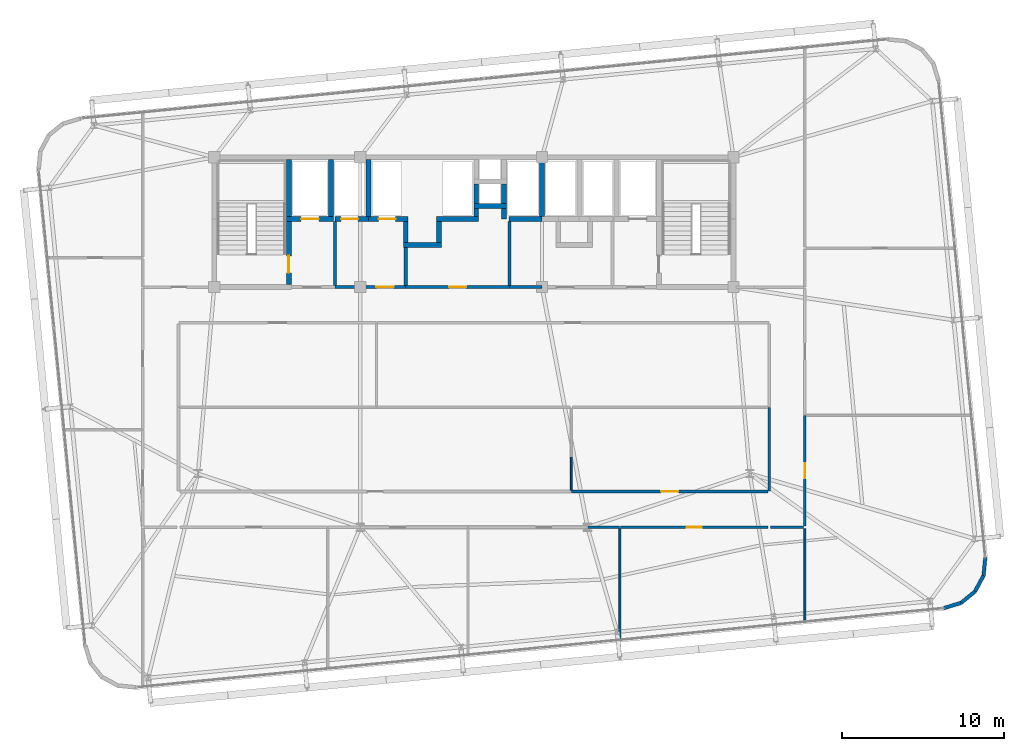
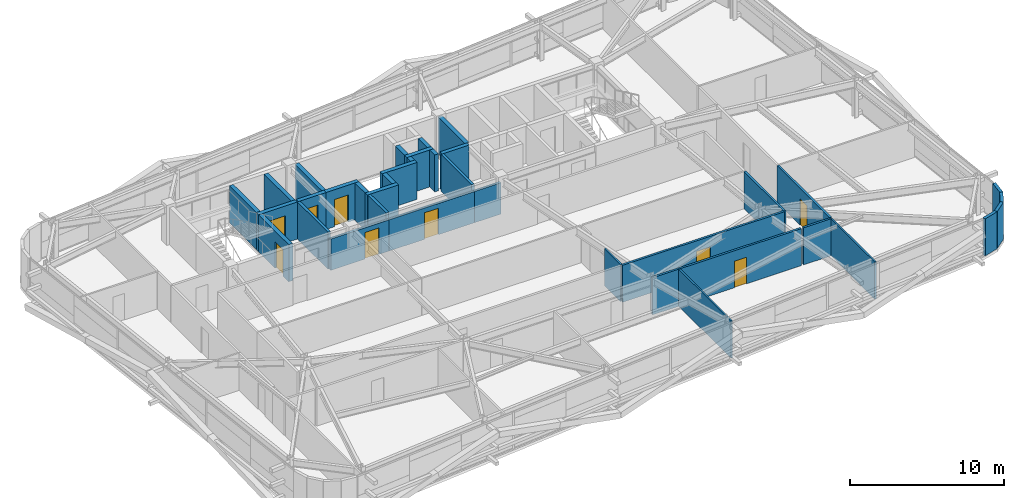
# One storey, part 42 of 47: 37 walls, 9 doors, 9 openings.
"""IFC4 building model written with IfcOpenShell, lengths in metres."""

from ifc_helpers import new_model, si_unit, direction, frame, frame_2d, origin, place, context, subcontext, project, spatial, rectangle, extrude, source, transform, mapped, material, layer, layer_set, type_object, element, fill, save


model = new_model("IFC4")

# Units and contexts
model_context = context("Model", 3, precision=1e-05, world=origin(), true_north=direction((0.0, 1.0)))
body_context = subcontext(model_context, "Body", "Model", "MODEL_VIEW")
ifc_project = project(units=[si_unit("LENGTHUNIT", "METRE"), si_unit("AREAUNIT", "SQUARE_METRE"), si_unit("VOLUMEUNIT", "CUBIC_METRE"), si_unit("PLANEANGLEUNIT", "RADIAN"), si_unit("MASSUNIT", "GRAM", prefix="KILO")], contexts=[model_context])

# Site, building, storey
site_placement = place(None, origin())
site = spatial("IfcSite", under=ifc_project, at=site_placement, CompositionType="ELEMENT")
building_placement = place(site_placement, origin())
building = spatial("IfcBuilding", under=site, at=building_placement, Name="Taldren Reach Tower", CompositionType="ELEMENT")
storey_placement = place(building_placement, frame((0.0, 0.0, 87.14990234375)))
storey = spatial("IfcBuildingStorey", under=building, at=storey_placement, Name="L26", CompositionType="ELEMENT", Elevation=87.14990234375)

# Walls
ifc_material_1 = material(Name="Pale Champagne Anodised Aluminium Cladding", Category="aluminium")
ifc_layer_1 = layer(ifc_material_1, 0.04, Name="Pale Champagne Anodised Aluminium Cladding", Category="aluminium")
ifc_material_2 = material(Name="Mineral Wool Acoustic Insulation", Category="insulation")
ifc_layer_2 = layer(ifc_material_2, 0.06, Name="Mineral Wool Acoustic Insulation", Category="insulation")
ifc_material_3 = material(Name="Steel Gr 350 (C350L0)", Category="steel")
ifc_layer_3 = layer(ifc_material_3, 0.12, Name="Steel Gr 350 (C350L0)", Category="steel")
ifc_layer_set_1 = layer_set([ifc_layer_1, ifc_layer_2, ifc_layer_3], Name="Pale Champagne Aluminium Cladding and Steel Gr 350 Stud Framing")
wall_type_1 = type_object("IfcWallType", Name="EW-CRN-220", PredefinedType="SOLIDWALL", material=ifc_layer_set_1)
shared_shape_1 = source(origin(), body_context, "Body", "SweptSolid", [
    extrude(rectangle(XDim=1.115966796875, YDim=0.219970703125, at=frame_2d((0.55810546875, 0.0))), origin(), (0.0, 0.0, 1.0), 2.93017578125),
])
for number, where, z_axis, x_axis, name in (
    (1, (65.01708984375, 4.537109375, 0.0), (0.0, 0.0, 1.0), (0.773342870285, 0.633988016432, 0.0), "Rounded-corner pale-metal facade wall L26-SE2"),
    (2, (66.406494140625, 6.228515625, 0.0), (0.0, 0.0, 1.0), (0.09844234778, 0.995142755671, 0.0), "Rounded-corner pale-metal facade wall L26-SE4"),
):
    element("IfcWall", number, at=place(storey_placement, frame(where, z_axis=z_axis, x_axis=x_axis)), inside=storey, type_object=wall_type_1, Name=name, PredefinedType="SOLIDWALL", context=body_context, shape_type="MappedRepresentation", body=[
        mapped(shared_shape_1, transform((0.0, 0.0, 0.0), scale=1.0)),
    ])
shared_shape_2 = source(origin(), body_context, "Body", "SweptSolid", [
    extrude(rectangle(XDim=1.11572265625, YDim=0.219970703125, at=frame_2d((0.557861328125, 0.0))), origin(), (0.0, 0.0, 1.0), 2.93017578125),
])
for number, where, z_axis, x_axis, name in (
    (3, (63.94921875, 4.213623046875, 0.0), (0.0, 0.0, 1.0), (0.957052003726, 0.289916301997, 0.0), "Rounded-corner pale-metal facade wall L26-SE1"),
    (4, (65.880126953125, 5.24462890625, 0.0), (0.0, 0.0, 1.0), (0.471723463201, 0.881746547635, 0.0), "Rounded-corner pale-metal facade wall L26-SE3"),
):
    element("IfcWall", number, at=place(storey_placement, frame(where, z_axis=z_axis, x_axis=x_axis)), inside=storey, type_object=wall_type_1, Name=name, PredefinedType="SOLIDWALL", context=body_context, shape_type="MappedRepresentation", body=[
        mapped(shared_shape_2, transform((0.0, 0.0, 0.0), scale=1.0)),
    ])

# Wall, opening, door
ifc_material_4 = material(Name="Concrete S50 (50 MPa)", Category="concrete")
ifc_layer_4 = layer(ifc_material_4, 0.199951171875)
ifc_layer_set_2 = layer_set([ifc_layer_4], Name="Concrete S50 (50 MPa)")
wall_type_2 = type_object("IfcWallType", Name="IW-CORE-200", PredefinedType="SOLIDWALL", material=ifc_layer_set_2)
shared_shape_3 = source(origin(), body_context, "Body", "SweptSolid", [
    extrude(rectangle(XDim=4.35009765625, YDim=0.199951171875, at=frame_2d((2.175048828125, 0.0))), origin(), (0.0, 0.0, 1.0), 2.47021484375),
])
wall_1_placement = place(storey_placement, frame((30.800048828125, 24.0, 0.0), z_axis=(0.0, 0.0, 1.0), x_axis=(-1.0, 0.0, 0.0)))
wall_1 = element("IfcWall", 5, at=wall_1_placement, inside=storey, type_object=wall_type_2, Name="Rear Core Shear Wall W-INT-L26-033", PredefinedType="SOLIDWALL", context=body_context, shape_type="MappedRepresentation", body=[
    mapped(shared_shape_3, transform((0.0, 0.0, 0.0), scale=1.0)),
])
shared_shape_4 = source(origin(), body_context, "Body", "SweptSolid", [
    extrude(rectangle(XDim=1.050048828125, YDim=2.10009765625, at=frame_2d((0.52490234375, 1.050048828125))), frame((0.0, 0.10986328125, 0.0), z_axis=(0.0, -1.0, 0.0), x_axis=(1.0, 0.0, 0.0)), (0.0, 0.0, 1.0), 0.219970703125),
])
opening_1_placement = place(wall_1_placement, frame((0.75, 0.0, 0.0)))
opening_1 = element("IfcOpeningElement", 6, at=opening_1_placement, cuts=wall_1, Name="Opening DF-105", PredefinedType="OPENING", context=body_context, shape_type="MappedRepresentation", body=[
    mapped(shared_shape_4, transform((0.0, 0.0, 0.0), scale=1.0)),
])
ifc_material_5 = material(Name="Fire-Rated Care and Stair Exit Door")
door_type_1 = type_object("IfcDoorType", Name="ID-FIRE-105", OperationType="NOTDEFINED", PredefinedType="DOOR", material=ifc_material_5)
shared_shape_5 = source(origin(), body_context, "Body", "SweptSolid", [
    extrude(rectangle(XDim=1.050048828125, YDim=2.10009765625, at=frame_2d((0.52490234375, 1.050048828125))), frame((0.0, 0.02490234375, 0.0), z_axis=(0.0, -1.0, 0.0), x_axis=(1.0, 0.0, 0.0)), (0.0, 0.0, 1.0), 0.050048828125),
])
door_1_placement = place(opening_1_placement, frame((1.050048828125, 0.0, 0.0), z_axis=(0.0, 0.0, 1.0), x_axis=(-1.0, 0.0, 0.0)))
door_1 = element("IfcDoor", 7, at=door_1_placement, inside=storey, type_object=door_type_1, Name="Interior Door DR-L26-005", OperationType="SINGLE_SWING_RIGHT", OverallHeight=2.10009765625, OverallWidth=1.050048828125, PredefinedType="DOOR", context=body_context, shape_type="MappedRepresentation", body=[
    mapped(shared_shape_5, transform((0.0, 0.0, 0.0), scale=1.0)),
])
fill(opening_1, door_1)

# Walls
shared_shape_6 = source(origin(), body_context, "Body", "SweptSolid", [
    extrude(rectangle(XDim=2.0, YDim=0.199951171875, at=frame_2d((1.0, 0.0))), origin(), (0.0, 0.0, 1.0), 2.47021484375),
])
wall_2_placement = place(storey_placement, frame((39.199951171875, 24.0, 0.0), z_axis=(0.0, 0.0, 1.0), x_axis=(-1.0, 0.0, 0.0)))
element("IfcWall", 8, at=wall_2_placement, inside=storey, type_object=wall_type_2, Name="Rear Core Shear Wall W-INT-L26-044 part 2", PredefinedType="SOLIDWALL", context=body_context, shape_type="MappedRepresentation", body=[
    mapped(shared_shape_6, transform((0.0, 0.0, 0.0), scale=1.0)),
])
ifc_material_6 = material(Name="Fire-Rated Acoustic Plasterboard Stud Wall", Category="gypsum")
ifc_layer_5 = layer(ifc_material_6, 0.159912109375)
ifc_layer_set_3 = layer_set([ifc_layer_5], Name="Fire-Rated Acoustic Plasterboard Stud Wall")
wall_type_3 = type_object("IfcWallType", Name="IW-FIRE-160", PredefinedType="PARTITIONING", material=ifc_layer_set_3)
shared_shape_7 = source(origin(), body_context, "Body", "SweptSolid", [
    extrude(rectangle(XDim=5.15966796875, YDim=0.159912109375, at=frame_2d((2.579833984375, 0.0))), origin(), (0.0, 0.0, 1.0), 2.93017578125),
])
wall_3_placement = place(storey_placement, frame((53.199951171875, 11.420166015625, 0.0), z_axis=(0.0, 0.0, 1.0), x_axis=(0.0, 1.0, 0.0)))
element("IfcWall", 9, at=wall_3_placement, inside=storey, type_object=wall_type_3, Name="Interior Partition Wall W-INT-L26-046", PredefinedType="PARTITIONING", context=body_context, shape_type="MappedRepresentation", body=[
    mapped(shared_shape_7, transform((0.0, 0.0, 0.0), scale=1.0)),
])
shared_shape_8 = source(origin(), body_context, "Body", "SweptSolid", [
    extrude(rectangle(XDim=2.0400390625, YDim=0.159912109375, at=frame_2d((1.02001953125, 0.0))), origin(), (0.0, 0.0, 1.0), 2.93017578125),
])
wall_4_placement = place(storey_placement, frame((55.320068359375, 9.199951171875, 0.0), z_axis=(0.0, 0.0, 1.0), x_axis=(-1.0, 0.0, 0.0)))
element("IfcWall", 10, at=wall_4_placement, inside=storey, type_object=wall_type_3, Name="Interior Partition Wall W-INT-L26-052", PredefinedType="PARTITIONING", context=body_context, shape_type="MappedRepresentation", body=[
    mapped(shared_shape_8, transform((0.0, 0.0, 0.0), scale=1.0)),
])

# Wall, opening, door
shared_shape_9 = source(origin(), body_context, "Body", "SweptSolid", [
    extrude(rectangle(XDim=12.099853515625, YDim=0.159912109375, at=frame_2d((6.0498046875, 0.0))), origin(), (0.0, 0.0, 1.0), 2.93017578125),
])
wall_5_placement = place(storey_placement, frame((41.020263671875, 11.39990234375, 0.0), z_axis=(0.0, 0.0, 1.0), x_axis=(1.0, 0.0, 0.0)))
wall_5 = element("IfcWall", 11, at=wall_5_placement, inside=storey, type_object=wall_type_3, Name="Interior Partition Wall W-INT-L26-060", PredefinedType="PARTITIONING", context=body_context, shape_type="MappedRepresentation", body=[
    mapped(shared_shape_9, transform((0.0, 0.0, 0.0), scale=1.0)),
])
shared_shape_10 = source(origin(), body_context, "Body", "SweptSolid", [
    extrude(rectangle(XDim=1.050048828125, YDim=2.10009765625, at=frame_2d((0.52490234375, 1.050048828125))), frame((0.0, 0.08984375, 0.0), z_axis=(0.0, -1.0, 0.0), x_axis=(1.0, 0.0, 0.0)), (0.0, 0.0, 1.0), 0.179931640625),
])
opening_2_placement = place(wall_5_placement, frame((5.52490234375, 0.0, 0.0)))
opening_2 = element("IfcOpeningElement", 12, at=opening_2_placement, cuts=wall_5, Name="Opening DF-105", PredefinedType="OPENING", context=body_context, shape_type="MappedRepresentation", body=[
    mapped(shared_shape_10, transform((0.0, 0.0, 0.0), scale=1.0)),
])
door_2_placement = place(opening_2_placement, origin())
door_2 = element("IfcDoor", 13, at=door_2_placement, inside=storey, type_object=door_type_1, Name="Interior Door DR-L26-016", OperationType="SINGLE_SWING_LEFT", OverallHeight=2.10009765625, OverallWidth=1.050048828125, PredefinedType="DOOR", context=body_context, shape_type="MappedRepresentation", body=[
    mapped(shared_shape_5, transform((0.0, 0.0, 0.0), scale=1.0)),
])
fill(opening_2, door_2)

# Walls
ifc_material_7 = material(Name="Insulated Residential Stud Partition", Category="gypsum")
ifc_layer_6 = layer(ifc_material_7, 0.1201171875)
ifc_layer_set_4 = layer_set([ifc_layer_6], Name="Insulated Residential Stud Partition")
wall_type_4 = type_object("IfcWallType", Name="IW-PART-120", PredefinedType="PARTITIONING", material=ifc_layer_set_4)
shared_shape_11 = source(origin(), body_context, "Body", "SweptSolid", [
    extrude(rectangle(XDim=2.075439453125, YDim=0.1201171875, at=frame_2d((1.03759765625, 0.0))), origin(), (0.0, 0.0, 1.0), 2.93017578125),
])
wall_6_placement = place(storey_placement, frame((41.0, 13.555419921875, 0.0), z_axis=(0.0, 0.0, 1.0), x_axis=(0.0, -1.0, 0.0)))
element("IfcWall", 14, at=wall_6_placement, inside=storey, type_object=wall_type_4, Name="Interior Partition Wall W-INT-L26-065 part 3", PredefinedType="PARTITIONING", context=body_context, shape_type="MappedRepresentation", body=[
    mapped(shared_shape_11, transform((0.0, 0.0, 0.0), scale=1.0)),
])
ifc_material_8 = material(Name="Concrete S65 (65 MPa)", Category="concrete")
ifc_layer_7 = layer(ifc_material_8, 0.300048828125)
ifc_layer_set_5 = layer_set([ifc_layer_7], Name="Concrete S65 (65 MPa)")
wall_type_5 = type_object("IfcWallType", Name="IW-CORE-300", PredefinedType="SHEAR", material=ifc_layer_set_5)
shared_shape_12 = source(origin(), body_context, "Body", "SweptSolid", [
    extrude(rectangle(XDim=3.5, YDim=0.300048828125, at=frame_2d((1.75, 0.0))), origin(), (0.0, 0.0, 1.0), 2.93017578125),
])
for number, where, z_axis, x_axis, name in (
    (15, (23.60009765625, 28.35009765625, 0.0), (0.0, 0.0, 1.0), (0.0, 1.0, 0.0), "Rear Core Shear Wall W-INT-L26-001"),
    (16, (26.199951171875, 28.35009765625, 0.0), (0.0, 0.0, 1.0), (0.0, 1.0, 0.0), "Rear Core Shear Wall W-INT-L26-005"),
    (17, (28.5, 28.35009765625, 0.0), (0.0, 0.0, 1.0), (0.0, 1.0, 0.0), "Rear Core Shear Wall W-INT-L26-029"),
    (18, (39.199951171875, 28.35009765625, 0.0), (0.0, 0.0, 1.0), (0.0, 1.0, 0.0), "Rear Core Shear Wall W-INT-L26-036"),
):
    element("IfcWall", number, at=place(storey_placement, frame(where, z_axis=z_axis, x_axis=x_axis)), inside=storey, type_object=wall_type_5, Name=name, PredefinedType="SHEAR", context=body_context, shape_type="MappedRepresentation", body=[
        mapped(shared_shape_12, transform((0.0, 0.0, 0.0), scale=1.0)),
    ])

# Wall, opening, door
shared_shape_13 = source(origin(), body_context, "Body", "SweptSolid", [
    extrude(rectangle(XDim=3.900146484375, YDim=0.300048828125, at=frame_2d((1.9501953125, 0.0))), origin(), (0.0, 0.0, 1.0), 2.93017578125),
])
wall_7_placement = place(storey_placement, frame((23.60009765625, 24.14990234375, 0.0), z_axis=(0.0, 0.0, 1.0), x_axis=(0.0, 1.0, 0.0)))
wall_7 = element("IfcWall", 19, at=wall_7_placement, inside=storey, type_object=wall_type_5, Name="Rear Core Shear Wall W-INT-L26-002", PredefinedType="SHEAR", context=body_context, shape_type="MappedRepresentation", body=[
    mapped(shared_shape_13, transform((0.0, 0.0, 0.0), scale=1.0)),
])
shared_shape_14 = source(origin(), body_context, "Body", "SweptSolid", [
    extrude(rectangle(XDim=1.050048828125, YDim=2.10009765625, at=frame_2d((0.52490234375, 1.050048828125))), frame((0.0, 0.16015625, 0.0), z_axis=(0.0, -1.0, 0.0), x_axis=(1.0, 0.0, 0.0)), (0.0, 0.0, 1.0), 0.320068359375),
])
opening_3_placement = place(wall_7_placement, frame((0.72509765625, 0.0, 0.0)))
opening_3 = element("IfcOpeningElement", 20, at=opening_3_placement, cuts=wall_7, Name="Opening DF-105", PredefinedType="OPENING", context=body_context, shape_type="MappedRepresentation", body=[
    mapped(shared_shape_14, transform((0.0, 0.0, 0.0), scale=1.0)),
])
door_3_placement = place(opening_3_placement, origin())
door_3 = element("IfcDoor", 21, at=door_3_placement, inside=storey, type_object=door_type_1, Name="Fire Exit Stair Door DR-L26-001", OperationType="SINGLE_SWING_LEFT", OverallHeight=2.10009765625, OverallWidth=1.050048828125, PredefinedType="DOOR", context=body_context, shape_type="MappedRepresentation", body=[
    mapped(shared_shape_5, transform((0.0, 0.0, 0.0), scale=1.0)),
])
fill(opening_3, door_3)

shared_shape_15 = source(origin(), body_context, "Body", "SweptSolid", [
    extrude(rectangle(XDim=2.900146484375, YDim=0.300048828125, at=frame_2d((1.4501953125, 0.0))), origin(), (0.0, 0.0, 1.0), 2.93017578125),
])
wall_8_placement = place(storey_placement, frame((23.449951171875, 28.199951171875, 0.0), z_axis=(0.0, 0.0, 1.0), x_axis=(1.0, 0.0, 0.0)))
wall_8 = element("IfcWall", 22, at=wall_8_placement, inside=storey, type_object=wall_type_5, Name="Rear Core Shear Wall W-INT-L26-004", PredefinedType="SHEAR", context=body_context, shape_type="MappedRepresentation", body=[
    mapped(shared_shape_15, transform((0.0, 0.0, 0.0), scale=1.0)),
])
shared_shape_16 = source(origin(), body_context, "Body", "SweptSolid", [
    extrude(rectangle(XDim=1.10009765625, YDim=2.14990234375, at=frame_2d((0.550048828125, 1.074951171875))), frame((0.0, 0.16015625, 0.0), z_axis=(0.0, -1.0, 0.0), x_axis=(1.0, 0.0, 0.0)), (0.0, 0.0, 1.0), 0.320068359375),
])
opening_4_placement = place(wall_8_placement, frame((0.89990234375, 0.0, 0.0)))
opening_4 = element("IfcOpeningElement", 23, at=opening_4_placement, cuts=wall_8, Name="Opening LD-FL1", PredefinedType="OPENING", context=body_context, shape_type="MappedRepresentation", body=[
    mapped(shared_shape_16, transform((0.0, 0.0, 0.0), scale=1.0)),
])
ifc_material_9 = material(Name="Stainless Steel Gr 316 Emergency Lift Landing Door", Category="steel")
door_type_2 = type_object("IfcDoorType", Name="LD-EMG-110", OperationType="SLIDING_TO_LEFT", PredefinedType="DOOR", material=ifc_material_9)
shared_shape_17 = source(origin(), body_context, "Body", "SweptSolid", [
    extrude(rectangle(XDim=1.10009765625, YDim=2.14990234375, at=frame_2d((0.550048828125, 1.074951171875))), frame((0.0, 0.02490234375, 0.0), z_axis=(0.0, -1.0, 0.0), x_axis=(1.0, 0.0, 0.0)), (0.0, 0.0, 1.0), 0.050048828125),
])
door_4_placement = place(opening_4_placement, origin())
door_4 = element("IfcDoor", 24, at=door_4_placement, inside=storey, type_object=door_type_2, Name="Lift Landing Door LD-FL1-L26", OperationType="SLIDING_TO_LEFT", OverallHeight=2.14990234375, OverallWidth=1.10009765625, PredefinedType="DOOR", context=body_context, shape_type="MappedRepresentation", body=[
    mapped(shared_shape_17, transform((0.0, 0.0, 0.0), scale=1.0)),
])
fill(opening_4, door_4)

# Walls
shared_shape_18 = source(origin(), body_context, "Body", "SweptSolid", [
    extrude(rectangle(XDim=3.949951171875, YDim=0.199951171875, at=frame_2d((1.97509765625, 0.0))), origin(), (0.0, 0.0, 1.0), 2.93017578125),
])
for number, where, z_axis, x_axis, name in (
    (25, (26.449951171875, 24.10009765625, 0.0), (0.0, 0.0, 1.0), (0.0, 1.0, 0.0), "Rear Core Shear Wall W-INT-L26-006"),
    (26, (37.199951171875, 28.050048828125, 0.0), (0.0, 0.0, 1.0), (0.0, -1.0, 0.0), "Rear Core Shear Wall W-INT-L26-042"),
):
    element("IfcWall", number, at=place(storey_placement, frame(where, z_axis=z_axis, x_axis=x_axis)), inside=storey, type_object=wall_type_2, Name=name, PredefinedType="SOLIDWALL", context=body_context, shape_type="MappedRepresentation", body=[
        mapped(shared_shape_18, transform((0.0, 0.0, 0.0), scale=1.0)),
    ])
shared_shape_19 = source(origin(), body_context, "Body", "SweptSolid", [
    extrude(rectangle(XDim=2.0, YDim=0.300048828125, at=frame_2d((1.0, 0.0))), origin(), (0.0, 0.0, 1.0), 2.93017578125),
])
wall_9_placement = place(storey_placement, frame((35.0, 29.0, 0.0), z_axis=(0.0, 0.0, 1.0), x_axis=(1.0, 0.0, 0.0)))
element("IfcWall", 27, at=wall_9_placement, inside=storey, type_object=wall_type_5, Name="Rear Core Shear Wall W-INT-L26-020", PredefinedType="SHEAR", context=body_context, shape_type="MappedRepresentation", body=[
    mapped(shared_shape_19, transform((0.0, 0.0, 0.0), scale=1.0)),
])
shared_shape_20 = source(origin(), body_context, "Body", "SweptSolid", [
    extrude(rectangle(XDim=1.2001953125, YDim=0.300048828125, at=frame_2d((0.60009765625, 0.0))), origin(), (0.0, 0.0, 1.0), 2.93017578125),
])
for number, where, z_axis, x_axis, name in (
    (28, (35.14990234375, 30.35009765625, 0.0), (0.0, 0.0, 1.0), (0.0, -1.0, 0.0), "Rear Core Shear Wall W-INT-L26-018"),
    (29, (36.85009765625, 29.14990234375, 0.0), (0.0, 0.0, 1.0), (0.0, 1.0, 0.0), "Rear Core Shear Wall W-INT-L26-019"),
):
    element("IfcWall", number, at=place(storey_placement, frame(where, z_axis=z_axis, x_axis=x_axis)), inside=storey, type_object=wall_type_5, Name=name, PredefinedType="SHEAR", context=body_context, shape_type="MappedRepresentation", body=[
        mapped(shared_shape_20, transform((0.0, 0.0, 0.0), scale=1.0)),
    ])
shared_shape_21 = source(origin(), body_context, "Body", "SweptSolid", [
    extrude(rectangle(XDim=1.300048828125, YDim=0.300048828125, at=frame_2d((0.64990234375, 0.0))), origin(), (0.0, 0.0, 1.0), 2.93017578125),
])
for number, where, z_axis, x_axis, name in (
    (30, (30.800048828125, 28.050048828125, 0.0), (0.0, 0.0, 1.0), (0.0, -1.0, 0.0), "Rear Core Shear Wall W-INT-L26-021"),
    (31, (32.85009765625, 26.75, 0.0), (0.0, 0.0, 1.0), (0.0, 1.0, 0.0), "Rear Core Shear Wall W-INT-L26-023"),
):
    element("IfcWall", number, at=place(storey_placement, frame(where, z_axis=z_axis, x_axis=x_axis)), inside=storey, type_object=wall_type_5, Name=name, PredefinedType="SHEAR", context=body_context, shape_type="MappedRepresentation", body=[
        mapped(shared_shape_21, transform((0.0, 0.0, 0.0), scale=1.0)),
    ])
shared_shape_22 = source(origin(), body_context, "Body", "SweptSolid", [
    extrude(rectangle(XDim=2.35009765625, YDim=0.300048828125, at=frame_2d((1.175048828125, 0.0))), origin(), (0.0, 0.0, 1.0), 2.93017578125),
])
wall_10_placement = place(storey_placement, frame((30.64990234375, 26.60009765625, 0.0), z_axis=(0.0, 0.0, 1.0), x_axis=(1.0, 0.0, 0.0)))
element("IfcWall", 32, at=wall_10_placement, inside=storey, type_object=wall_type_5, Name="Rear Core Shear Wall W-INT-L26-022", PredefinedType="SHEAR", context=body_context, shape_type="MappedRepresentation", body=[
    mapped(shared_shape_22, transform((0.0, 0.0, 0.0), scale=1.0)),
])

# Wall, opening, door
shared_shape_23 = source(origin(), body_context, "Body", "SweptSolid", [
    extrude(rectangle(XDim=2.070068359375, YDim=0.300048828125, at=frame_2d((1.03515625, 0.0))), origin(), (0.0, 0.0, 1.0), 2.93017578125),
])
wall_11_placement = place(storey_placement, frame((26.429931640625, 28.199951171875, 0.0), z_axis=(0.0, 0.0, 1.0), x_axis=(1.0, 0.0, 0.0)))
wall_11 = element("IfcWall", 33, at=wall_11_placement, inside=storey, type_object=wall_type_5, Name="Rear Core Shear Wall W-INT-L26-030", PredefinedType="SHEAR", context=body_context, shape_type="MappedRepresentation", body=[
    mapped(shared_shape_23, transform((0.0, 0.0, 0.0), scale=1.0)),
])
shared_shape_24 = source(origin(), body_context, "Body", "SweptSolid", [
    extrude(rectangle(XDim=1.050048828125, YDim=2.14990234375, at=frame_2d((0.52490234375, 1.074951171875))), frame((0.0, 0.16015625, 0.0), z_axis=(0.0, -1.0, 0.0), x_axis=(1.0, 0.0, 0.0)), (0.0, 0.0, 1.0), 0.320068359375),
])
opening_5_placement = place(wall_11_placement, frame((0.39501953125, 0.0, 0.0)))
opening_5 = element("IfcOpeningElement", 34, at=opening_5_placement, cuts=wall_11, Name="Opening LD-PL1", PredefinedType="OPENING", context=body_context, shape_type="MappedRepresentation", body=[
    mapped(shared_shape_24, transform((0.0, 0.0, 0.0), scale=1.0)),
])
ifc_material_10 = material(Name="Stainless Steel Gr 316 Passenger Lift Landing Door", Category="steel")
door_type_3 = type_object("IfcDoorType", Name="LD-PAS-105", OperationType="SLIDING_TO_LEFT", PredefinedType="DOOR", material=ifc_material_10)
shared_shape_25 = source(origin(), body_context, "Body", "SweptSolid", [
    extrude(rectangle(XDim=1.050048828125, YDim=2.14990234375, at=frame_2d((0.52490234375, 1.074951171875))), frame((0.0, 0.02490234375, 0.0), z_axis=(0.0, -1.0, 0.0), x_axis=(1.0, 0.0, 0.0)), (0.0, 0.0, 1.0), 0.050048828125),
])
door_5_placement = place(opening_5_placement, origin())
door_5 = element("IfcDoor", 35, at=door_5_placement, inside=storey, type_object=door_type_3, Name="Lift Landing Door LD-PL1-L26", OperationType="SLIDING_TO_LEFT", OverallHeight=2.14990234375, OverallWidth=1.050048828125, PredefinedType="DOOR", context=body_context, shape_type="MappedRepresentation", body=[
    mapped(shared_shape_25, transform((0.0, 0.0, 0.0), scale=1.0)),
])
fill(opening_5, door_5)

shared_shape_26 = source(origin(), body_context, "Body", "SweptSolid", [
    extrude(rectangle(XDim=2.449951171875, YDim=0.300048828125, at=frame_2d((1.22509765625, 0.0))), origin(), (0.0, 0.0, 1.0), 2.93017578125),
])
wall_12_placement = place(storey_placement, frame((28.5, 28.199951171875, 0.0), z_axis=(0.0, 0.0, 1.0), x_axis=(1.0, 0.0, 0.0)))
wall_12 = element("IfcWall", 36, at=wall_12_placement, inside=storey, type_object=wall_type_5, Name="Rear Core Shear Wall W-INT-L26-031", PredefinedType="SHEAR", context=body_context, shape_type="MappedRepresentation", body=[
    mapped(shared_shape_26, transform((0.0, 0.0, 0.0), scale=1.0)),
])
opening_6_placement = place(wall_12_placement, frame((0.625, 0.0, 0.0)))
opening_6 = element("IfcOpeningElement", 37, at=opening_6_placement, cuts=wall_12, Name="Opening LD-PL2", PredefinedType="OPENING", context=body_context, shape_type="MappedRepresentation", body=[
    mapped(shared_shape_24, transform((0.0, 0.0, 0.0), scale=1.0)),
])
door_6_placement = place(opening_6_placement, origin())
door_6 = element("IfcDoor", 38, at=door_6_placement, inside=storey, type_object=door_type_3, Name="Lift Landing Door LD-PL2-L26", OperationType="SLIDING_TO_LEFT", OverallHeight=2.14990234375, OverallWidth=1.050048828125, PredefinedType="DOOR", context=body_context, shape_type="MappedRepresentation", body=[
    mapped(shared_shape_25, transform((0.0, 0.0, 0.0), scale=1.0)),
])
fill(opening_6, door_6)

# Walls
shared_shape_27 = source(origin(), body_context, "Body", "SweptSolid", [
    extrude(rectangle(XDim=2.349853515625, YDim=0.199951171875, at=frame_2d((1.1748046875, 0.0))), origin(), (0.0, 0.0, 1.0), 2.93017578125),
])
wall_13_placement = place(storey_placement, frame((30.800048828125, 26.449951171875, 0.0), z_axis=(0.0, 0.0, 1.0), x_axis=(0.0, -1.0, 0.0)))
element("IfcWall", 39, at=wall_13_placement, inside=storey, type_object=wall_type_2, Name="Rear Core Shear Wall W-INT-L26-032", PredefinedType="SOLIDWALL", context=body_context, shape_type="MappedRepresentation", body=[
    mapped(shared_shape_27, transform((0.0, 0.0, 0.0), scale=1.0)),
])
shared_shape_28 = source(origin(), body_context, "Body", "SweptSolid", [
    extrude(rectangle(XDim=2.60009765625, YDim=0.300048828125, at=frame_2d((1.300048828125, 0.0))), origin(), (0.0, 0.0, 1.0), 2.93017578125),
])
wall_14_placement = place(storey_placement, frame((32.699951171875, 28.199951171875, 0.0), z_axis=(0.0, 0.0, 1.0), x_axis=(1.0, 0.0, 0.0)))
element("IfcWall", 40, at=wall_14_placement, inside=storey, type_object=wall_type_5, Name="Rear Core Shear Wall W-INT-L26-034", PredefinedType="SHEAR", context=body_context, shape_type="MappedRepresentation", body=[
    mapped(shared_shape_28, transform((0.0, 0.0, 0.0), scale=1.0)),
])
shared_shape_29 = source(origin(), body_context, "Body", "SweptSolid", [
    extrude(rectangle(XDim=0.5, YDim=0.300048828125, at=frame_2d((0.25, 0.0))), origin(), (0.0, 0.0, 1.0), 2.93017578125),
])
wall_15_placement = place(storey_placement, frame((35.14990234375, 28.35009765625, 0.0), z_axis=(0.0, 0.0, 1.0), x_axis=(0.0, 1.0, 0.0)))
element("IfcWall", 41, at=wall_15_placement, inside=storey, type_object=wall_type_5, Name="Rear Core Shear Wall W-INT-L26-035", PredefinedType="SHEAR", context=body_context, shape_type="MappedRepresentation", body=[
    mapped(shared_shape_29, transform((0.0, 0.0, 0.0), scale=1.0)),
])
shared_shape_30 = source(origin(), body_context, "Body", "SweptSolid", [
    extrude(rectangle(XDim=0.650146484375, YDim=0.300048828125, at=frame_2d((0.3251953125, 0.0))), origin(), (0.0, 0.0, 1.0), 2.93017578125),
])
wall_16_placement = place(storey_placement, frame((36.85009765625, 28.85009765625, 0.0), z_axis=(0.0, 0.0, 1.0), x_axis=(0.0, -1.0, 0.0)))
element("IfcWall", 42, at=wall_16_placement, inside=storey, type_object=wall_type_5, Name="Rear Core Shear Wall W-INT-L26-037", PredefinedType="SHEAR", context=body_context, shape_type="MappedRepresentation", body=[
    mapped(shared_shape_30, transform((0.0, 0.0, 0.0), scale=1.0)),
])
shared_shape_31 = source(origin(), body_context, "Body", "SweptSolid", [
    extrude(rectangle(XDim=2.02001953125, YDim=0.300048828125, at=frame_2d((1.010009765625, 0.0))), origin(), (0.0, 0.0, 1.0), 2.93017578125),
])
wall_17_placement = place(storey_placement, frame((37.179931640625, 28.199951171875, 0.0), z_axis=(0.0, 0.0, 1.0), x_axis=(1.0, 0.0, 0.0)))
element("IfcWall", 43, at=wall_17_placement, inside=storey, type_object=wall_type_5, Name="Rear Core Shear Wall W-INT-L26-038", PredefinedType="SHEAR", context=body_context, shape_type="MappedRepresentation", body=[
    mapped(shared_shape_31, transform((0.0, 0.0, 0.0), scale=1.0)),
])

# Wall, opening, door
shared_shape_32 = source(origin(), body_context, "Body", "SweptSolid", [
    extrude(rectangle(XDim=6.39990234375, YDim=0.199951171875, at=frame_2d((3.199951171875, 0.0))), origin(), (0.0, 0.0, 1.0), 2.47021484375),
])
wall_18_placement = place(storey_placement, frame((37.199951171875, 24.0, 0.0), z_axis=(0.0, 0.0, 1.0), x_axis=(-1.0, 0.0, 0.0)))
wall_18 = element("IfcWall", 44, at=wall_18_placement, inside=storey, type_object=wall_type_2, Name="Rear Core Shear Wall W-INT-L26-043", PredefinedType="SOLIDWALL", context=body_context, shape_type="MappedRepresentation", body=[
    mapped(shared_shape_32, transform((0.0, 0.0, 0.0), scale=1.0)),
])
opening_7_placement = place(wall_18_placement, frame((2.675048828125, 0.0, 0.0)))
opening_7 = element("IfcOpeningElement", 45, at=opening_7_placement, cuts=wall_18, Name="Opening DF-105", PredefinedType="OPENING", context=body_context, shape_type="MappedRepresentation", body=[
    mapped(shared_shape_4, transform((0.0, 0.0, 0.0), scale=1.0)),
])
door_7_placement = place(opening_7_placement, frame((1.050048828125, 0.0, 0.0), z_axis=(0.0, 0.0, 1.0), x_axis=(-1.0, 0.0, 0.0)))
door_7 = element("IfcDoor", 46, at=door_7_placement, inside=storey, type_object=door_type_1, Name="Interior Door DR-L26-006", OperationType="SINGLE_SWING_RIGHT", OverallHeight=2.10009765625, OverallWidth=1.050048828125, PredefinedType="DOOR", context=body_context, shape_type="MappedRepresentation", body=[
    mapped(shared_shape_5, transform((0.0, 0.0, 0.0), scale=1.0)),
])
fill(opening_7, door_7)

shared_shape_33 = source(origin(), body_context, "Body", "SweptSolid", [
    extrude(rectangle(XDim=6.7998046875, YDim=0.159912109375, at=frame_2d((3.39990234375, 0.0))), origin(), (0.0, 0.0, 1.0), 2.93017578125),
])
wall_19_placement = place(storey_placement, frame((55.39990234375, 16.079833984375, 0.0), z_axis=(0.0, 0.0, 1.0), x_axis=(0.0, -1.0, 0.0)))
wall_19 = element("IfcWall", 47, at=wall_19_placement, inside=storey, type_object=wall_type_3, Name="Interior Partition Wall W-INT-L26-055", PredefinedType="PARTITIONING", context=body_context, shape_type="MappedRepresentation", body=[
    mapped(shared_shape_33, transform((0.0, 0.0, 0.0), scale=1.0)),
])
shared_shape_34 = source(origin(), body_context, "Body", "SweptSolid", [
    extrude(rectangle(XDim=0.919921875, YDim=2.10009765625, at=frame_2d((0.4599609375, 1.050048828125))), frame((0.0, 0.08984375, 0.0), z_axis=(0.0, -1.0, 0.0), x_axis=(1.0, 0.0, 0.0)), (0.0, 0.0, 1.0), 0.179931640625),
])
opening_8_placement = place(wall_19_placement, frame((2.93994140625, 0.0, 0.0)))
opening_8 = element("IfcOpeningElement", 48, at=opening_8_placement, cuts=wall_19, Name="Opening DI-092", PredefinedType="OPENING", context=body_context, shape_type="MappedRepresentation", body=[
    mapped(shared_shape_34, transform((0.0, 0.0, 0.0), scale=1.0)),
])
ifc_material_11 = material(Name="Solid-Core Timber Suite Door", Category="wood")
door_type_4 = type_object("IfcDoorType", Name="ID-INT-092", OperationType="NOTDEFINED", PredefinedType="DOOR", material=ifc_material_11)
shared_shape_35 = source(origin(), body_context, "Body", "SweptSolid", [
    extrude(rectangle(XDim=0.919921875, YDim=2.10009765625, at=frame_2d((0.4599609375, 1.050048828125))), frame((0.0, 0.02490234375, 0.0), z_axis=(0.0, -1.0, 0.0), x_axis=(1.0, 0.0, 0.0)), (0.0, 0.0, 1.0), 0.050048828125),
])
door_8_placement = place(opening_8_placement, origin())
door_8 = element("IfcDoor", 49, at=door_8_placement, inside=storey, type_object=door_type_4, Name="Interior Door DR-L26-012", OperationType="SINGLE_SWING_LEFT", OverallHeight=2.10009765625, OverallWidth=0.919921875, PredefinedType="DOOR", context=body_context, shape_type="MappedRepresentation", body=[
    mapped(shared_shape_35, transform((0.0, 0.0, 0.0), scale=1.0)),
])
fill(opening_8, door_8)

shared_shape_36 = source(origin(), body_context, "Body", "SweptSolid", [
    extrude(rectangle(XDim=9.099853515625, YDim=0.159912109375, at=frame_2d((4.5498046875, 0.0))), origin(), (0.0, 0.0, 1.0), 2.93017578125),
])
wall_20_placement = place(storey_placement, frame((53.1201171875, 9.199951171875, 0.0), z_axis=(0.0, 0.0, 1.0), x_axis=(-1.0, 0.0, 0.0)))
wall_20 = element("IfcWall", 50, at=wall_20_placement, inside=storey, type_object=wall_type_3, Name="Interior Partition Wall W-INT-L26-064", PredefinedType="PARTITIONING", context=body_context, shape_type="MappedRepresentation", body=[
    mapped(shared_shape_36, transform((0.0, 0.0, 0.0), scale=1.0)),
])
opening_9_placement = place(wall_20_placement, frame((4.08984375, 0.0, 0.0)))
opening_9 = element("IfcOpeningElement", 51, at=opening_9_placement, cuts=wall_20, Name="Opening DI-092", PredefinedType="OPENING", context=body_context, shape_type="MappedRepresentation", body=[
    mapped(shared_shape_34, transform((0.0, 0.0, 0.0), scale=1.0)),
])
door_9_placement = place(opening_9_placement, origin())
door_9 = element("IfcDoor", 52, at=door_9_placement, inside=storey, type_object=door_type_4, Name="Interior Door DR-L26-020", OperationType="SINGLE_SWING_LEFT", OverallHeight=2.10009765625, OverallWidth=0.919921875, PredefinedType="DOOR", context=body_context, shape_type="MappedRepresentation", body=[
    mapped(shared_shape_35, transform((0.0, 0.0, 0.0), scale=1.0)),
])
fill(opening_9, door_9)

# Walls
shared_shape_37 = source(origin(), body_context, "Body", "SweptSolid", [
    extrude(rectangle(XDim=1.9794921875, YDim=0.159912109375, at=frame_2d((0.98974609375, 0.0))), origin(), (0.0, 0.0, 1.0), 2.93017578125),
])
wall_21_placement = place(storey_placement, frame((43.9794921875, 9.199951171875, 0.0), z_axis=(0.0, 0.0, 1.0), x_axis=(-1.0, 0.0, 0.0)))
element("IfcWall", 53, at=wall_21_placement, inside=storey, type_object=wall_type_3, Name="Interior Partition Wall W-INT-L26-063", PredefinedType="PARTITIONING", context=body_context, shape_type="MappedRepresentation", body=[
    mapped(shared_shape_37, transform((0.0, 0.0, 0.0), scale=1.0)),
])
shared_shape_38 = source(origin(), body_context, "Body", "SweptSolid", [
    extrude(rectangle(XDim=6.774169921875, YDim=0.1201171875, at=frame_2d((3.38720703125, 0.0))), origin(), (0.0, 0.0, 1.0), 2.93017578125),
])
wall_22_placement = place(storey_placement, frame((44.0, 9.1171875, 0.0), z_axis=(0.0, 0.0, 1.0), x_axis=(0.0, -1.0, 0.0)))
element("IfcWall", 54, at=wall_22_placement, inside=storey, type_object=wall_type_4, Name="Interior Partition Wall W-INT-L26-073", PredefinedType="PARTITIONING", context=body_context, shape_type="MappedRepresentation", body=[
    mapped(shared_shape_38, transform((0.0, 0.0, 0.0), scale=1.0)),
])
shared_shape_39 = source(origin(), body_context, "Body", "SweptSolid", [
    extrude(rectangle(XDim=5.657958984375, YDim=0.1201171875, at=frame_2d((2.8291015625, 0.0))), origin(), (0.0, 0.0, 1.0), 2.93017578125),
])
wall_23_placement = place(storey_placement, frame((55.39990234375, 9.117919921875, 0.0), z_axis=(0.0, 0.0, 1.0), x_axis=(0.0, -1.0, 0.0)))
element("IfcWall", 55, at=wall_23_placement, inside=storey, type_object=wall_type_4, Name="Interior Partition Wall W-INT-L26-074", PredefinedType="PARTITIONING", context=body_context, shape_type="MappedRepresentation", body=[
    mapped(shared_shape_39, transform((0.0, 0.0, 0.0), scale=1.0)),
])

save(model, "model.ifc")
